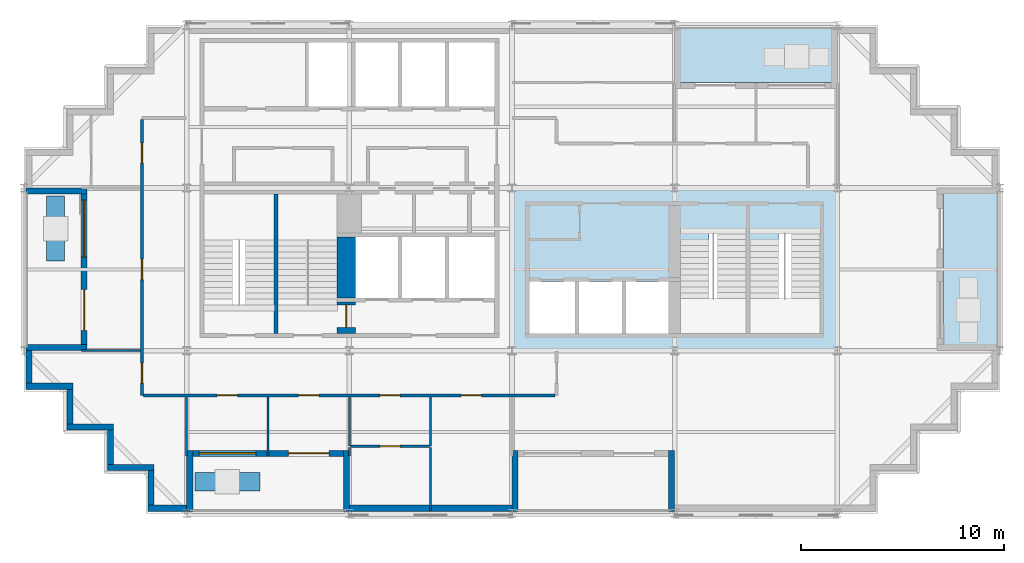
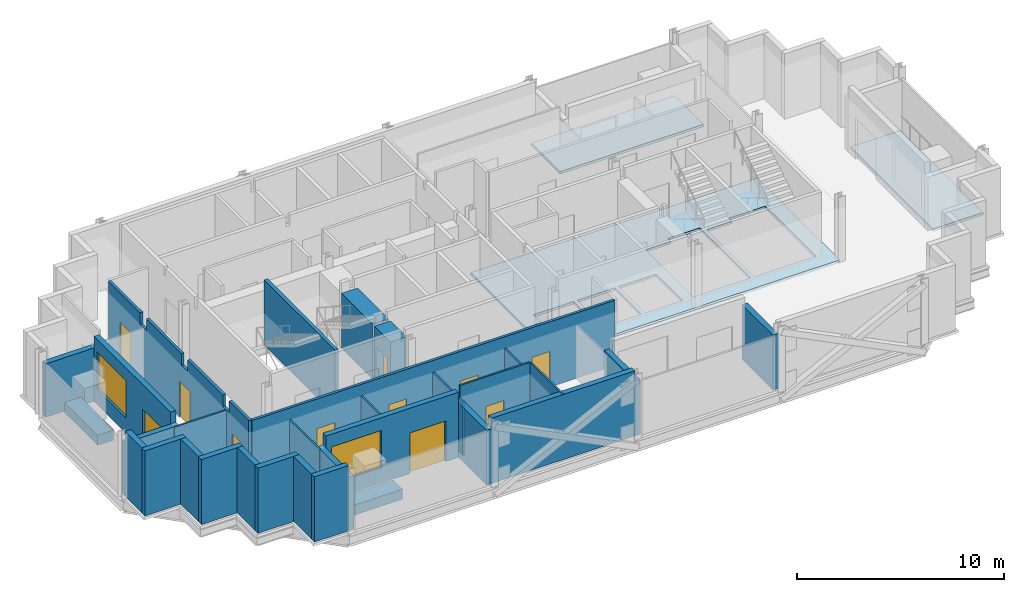
# One storey, part 2 of 8: 32 walls, 11 doors, 3 slabs, 2 windows, 13 openings.
"""IFC4 building model written with IfcOpenShell, lengths in metres."""

from ifc_helpers import new_model, si_unit, direction, frame, frame_2d, origin, place, context, subcontext, project, spatial, polyline, rectangle, outline, extrude, material, layer, layer_set, type_object, element, fill, save


model = new_model("IFC4")

# Units and contexts
model_context = context("Model", 3, precision=1e-05, world=origin(), true_north=direction((0.0, 1.0)))
body_context = subcontext(model_context, "Body", "Model", "MODEL_VIEW")
ifc_project = project(units=[si_unit("LENGTHUNIT", "METRE"), si_unit("AREAUNIT", "SQUARE_METRE"), si_unit("VOLUMEUNIT", "CUBIC_METRE"), si_unit("PLANEANGLEUNIT", "RADIAN"), si_unit("MASSUNIT", "GRAM", prefix="KILO")], contexts=[model_context])

# Site, building, storey
site_placement = place(None, origin())
site = spatial("IfcSite", under=ifc_project, at=site_placement, CompositionType="ELEMENT")
building_placement = place(site_placement, origin())
building = spatial("IfcBuilding", under=site, at=building_placement, Name="Immortelle Media Tower", CompositionType="ELEMENT")
storey_placement = place(building_placement, frame((0.0, 0.0, 209.0)))
storey = spatial("IfcBuildingStorey", under=building, at=storey_placement, Name="L44", CompositionType="ELEMENT", Elevation=209.0)

# Slabs
ifc_material_1 = material(Name="Concrete C50/60 composite deck", Category="concrete")
ifc_layer_1 = layer(ifc_material_1, 0.14990234375)
ifc_layer_set_1 = layer_set([ifc_layer_1], Name="Concrete C50/60 composite deck")
slab_type_1 = type_object("IfcSlabType", Name="Balcony slab 150", PredefinedType="FLOOR", material=ifc_layer_set_1)
slab_1_placement = place(storey_placement, frame((0.0, 0.0, -0.14990234375)))
element("IfcSlab", 1, at=slab_1_placement, inside=storey, type_object=slab_type_1, Name="Balcony slab L44 E0", PredefinedType="FLOOR", context=body_context, shape_type="SweptSolid", body=[
    extrude(outline(polyline([(48.0, 8.0), (48.0, 16.0), (45.199951171875, 16.0), (45.199951171875, 8.0), (48.0, 8.0)])), origin(), (0.0, 0.0, 1.0), 0.14990234375),
])
slab_2_placement = place(storey_placement, frame((0.0, 0.0, -0.14990234375)))
element("IfcSlab", 2, at=slab_2_placement, inside=storey, type_object=slab_type_1, Name="Balcony slab L44 N0", PredefinedType="FLOOR", context=body_context, shape_type="SweptSolid", body=[
    extrude(outline(polyline([(40.0, 21.199951171875), (40.0, 24.0), (32.0, 24.0), (32.0, 21.199951171875), (40.0, 21.199951171875)])), origin(), (0.0, 0.0, 1.0), 0.14990234375),
])
ifc_material_2 = material(Name="Concrete C50/60", Category="concrete")
ifc_layer_2 = layer(ifc_material_2, 0.14990234375)
ifc_layer_set_2 = layer_set([ifc_layer_2], Name="Concrete C50/60")
slab_type_2 = type_object("IfcSlabType", Name="Core floor slab 150", PredefinedType="FLOOR", material=ifc_layer_set_2)
slab_3_placement = place(storey_placement, frame((0.0, 0.0, -0.14990234375)))
element("IfcSlab", 3, at=slab_3_placement, inside=storey, type_object=slab_type_2, Name="Core floor SE", PredefinedType="FLOOR", context=body_context, shape_type="SweptSolid", body=[
    extrude(outline(polyline([(24.0, 8.0), (40.0, 8.0), (40.0, 16.0), (24.0, 16.0), (24.0, 8.0)]), holes=[polyline([(24.85009765625, 8.85009765625), (27.10009765625, 8.85009765625), (27.10009765625, 11.39990234375), (24.85009765625, 11.39990234375), (24.85009765625, 8.85009765625)]), polyline([(27.300048828125, 8.85009765625), (29.39990234375, 8.85009765625), (29.39990234375, 11.39990234375), (27.300048828125, 11.39990234375), (27.300048828125, 8.85009765625)]), polyline([(29.60009765625, 8.85009765625), (31.699951171875, 8.85009765625), (31.699951171875, 11.39990234375), (29.60009765625, 11.39990234375), (29.60009765625, 8.85009765625)]), polyline([(35.5, 13.72998046875), (35.5, 8.85009765625), (32.300048828125, 8.85009765625), (32.300048828125, 13.43994140625), (33.699951171875, 13.43994140625), (33.699951171875, 13.72998046875), (35.5, 13.72998046875)]), polyline([(39.14990234375, 13.72998046875), (39.14990234375, 8.85009765625), (35.699951171875, 8.85009765625), (35.699951171875, 13.43994140625), (37.10009765625, 13.43994140625), (37.10009765625, 13.72998046875), (39.14990234375, 13.72998046875)])]), origin(), (0.0, 0.0, 1.0), 0.14990234375),
])

# Wall, openings, doors
ifc_material_3 = material(Name="Fire-rated gypsum board", Category="gypsum")
ifc_layer_3 = layer(ifc_material_3, 0.012451171875)
ifc_material_4 = material(Name="Steel ASTM A653 SS Gr 50 stud frame with mineral wool", Category="steel")
ifc_layer_4 = layer(ifc_material_4, 0.125)
ifc_layer_5 = layer(ifc_material_3, 0.012451171875)
ifc_layer_set_3 = layer_set([ifc_layer_3, ifc_layer_4, ifc_layer_5], Name="Steel ASTM A653 SS Gr 50 stud frame with mineral wool")
wall_type_1 = type_object("IfcWallType", Name="Corridor wall 150", PredefinedType="PARTITIONING", material=ifc_layer_set_3)
wall_1_placement = place(storey_placement, frame((5.875, 5.800048828125, 0.0), z_axis=(0.0, 0.0, 1.0), x_axis=(1.0, 0.0, 0.0)))
wall_1 = element("IfcWall", 4, at=wall_1_placement, inside=storey, type_object=wall_type_1, Name="Partition L44-009", PredefinedType="PARTITIONING", context=body_context, shape_type="SweptSolid", body=[
    extrude(rectangle(XDim=20.25, YDim=0.14990234375, at=frame_2d((10.125, 0.0))), origin(), (0.0, 0.0, 1.0), 3.85009765625),
])
opening_1_placement = place(wall_1_placement, frame((12.625, 0.0, 0.0), z_axis=(0.0, 0.0, 1.0), x_axis=(-1.0, 0.0, 0.0)))
opening_1 = element("IfcOpeningElement", 5, at=opening_1_placement, cuts=wall_1, Name="Opening O3-F001", PredefinedType="OPENING", context=body_context, shape_type="SweptSolid", body=[
    extrude(rectangle(XDim=1.0, YDim=2.10009765625, at=frame_2d((0.5, 1.050048828125))), frame((0.0, 0.0849609375, 0.0), z_axis=(0.0, -1.0, 0.0), x_axis=(1.0, 0.0, 0.0)), (0.0, 0.0, 1.0), 0.169921875),
])
opening_2_placement = place(wall_1_placement, frame((16.625, 0.0, 0.0), z_axis=(0.0, 0.0, 1.0), x_axis=(-1.0, 0.0, 0.0)))
opening_2 = element("IfcOpeningElement", 6, at=opening_2_placement, cuts=wall_1, Name="Opening O3-F003", PredefinedType="OPENING", context=body_context, shape_type="SweptSolid", body=[
    extrude(rectangle(XDim=1.0, YDim=2.10009765625, at=frame_2d((0.5, 1.050048828125))), frame((0.0, 0.0849609375, 0.0), z_axis=(0.0, -1.0, 0.0), x_axis=(1.0, 0.0, 0.0)), (0.0, 0.0, 1.0), 0.169921875),
])
opening_3_placement = place(wall_1_placement, frame((4.625, 0.0, 0.0), z_axis=(0.0, 0.0, 1.0), x_axis=(-1.0, 0.0, 0.0)))
opening_3 = element("IfcOpeningElement", 7, at=opening_3_placement, cuts=wall_1, Name="Opening O3-F004", PredefinedType="OPENING", context=body_context, shape_type="SweptSolid", body=[
    extrude(rectangle(XDim=1.0, YDim=2.10009765625, at=frame_2d((0.5, 1.050048828125))), frame((0.0, 0.0849609375, 0.0), z_axis=(0.0, -1.0, 0.0), x_axis=(1.0, 0.0, 0.0)), (0.0, 0.0, 1.0), 0.169921875),
])
opening_4_placement = place(wall_1_placement, frame((8.625, 0.0, 0.0), z_axis=(0.0, 0.0, 1.0), x_axis=(-1.0, 0.0, 0.0)))
opening_4 = element("IfcOpeningElement", 8, at=opening_4_placement, cuts=wall_1, Name="Opening O3-F005", PredefinedType="OPENING", context=body_context, shape_type="SweptSolid", body=[
    extrude(rectangle(XDim=1.0, YDim=2.10009765625, at=frame_2d((0.5, 1.050048828125))), frame((0.0, 0.0849609375, 0.0), z_axis=(0.0, -1.0, 0.0), x_axis=(1.0, 0.0, 0.0)), (0.0, 0.0, 1.0), 0.169921875),
])
ifc_material_5 = material(Name="Timber veneered door leaf, galvanised steel frame ASTM A653", Category="steel")
door_type_1 = type_object("IfcDoorType", Name="Room door 1000 x 2100", OperationType="NOTDEFINED", PredefinedType="DOOR", material=ifc_material_5)
door_1_placement = place(opening_1_placement, origin())
door_1 = element("IfcDoor", 9, at=door_1_placement, inside=storey, type_object=door_type_1, Name="Door O3-F001", OperationType="SINGLE_SWING_LEFT", OverallHeight=2.10009765625, OverallWidth=1.0, PredefinedType="DOOR", context=body_context, shape_type="SweptSolid", body=[
    extrude(rectangle(XDim=1.0, YDim=2.10009765625, at=frame_2d((0.5, 1.050048828125))), frame((0.0, 0.02490234375, 0.0), z_axis=(0.0, -1.0, 0.0), x_axis=(1.0, 0.0, 0.0)), (0.0, 0.0, 1.0), 0.050048828125),
])
fill(opening_1, door_1)
door_2_placement = place(opening_2_placement, origin())
door_2 = element("IfcDoor", 10, at=door_2_placement, inside=storey, type_object=door_type_1, Name="Door O3-F003", OperationType="SINGLE_SWING_RIGHT", OverallHeight=2.10009765625, OverallWidth=1.0, PredefinedType="DOOR", context=body_context, shape_type="SweptSolid", body=[
    extrude(rectangle(XDim=1.0, YDim=2.10009765625, at=frame_2d((0.5, 1.050048828125))), frame((0.0, 0.02490234375, 0.0), z_axis=(0.0, -1.0, 0.0), x_axis=(1.0, 0.0, 0.0)), (0.0, 0.0, 1.0), 0.050048828125),
])
fill(opening_2, door_2)
door_3_placement = place(opening_3_placement, origin())
door_3 = element("IfcDoor", 11, at=door_3_placement, inside=storey, type_object=door_type_1, Name="Door O3-F004", OperationType="SINGLE_SWING_RIGHT", OverallHeight=2.10009765625, OverallWidth=1.0, PredefinedType="DOOR", context=body_context, shape_type="SweptSolid", body=[
    extrude(rectangle(XDim=1.0, YDim=2.10009765625, at=frame_2d((0.5, 1.050048828125))), frame((0.0, 0.02490234375, 0.0), z_axis=(0.0, -1.0, 0.0), x_axis=(1.0, 0.0, 0.0)), (0.0, 0.0, 1.0), 0.050048828125),
])
fill(opening_3, door_3)
door_4_placement = place(opening_4_placement, origin())
door_4 = element("IfcDoor", 12, at=door_4_placement, inside=storey, type_object=door_type_1, Name="Door O3-F005", OperationType="SINGLE_SWING_LEFT", OverallHeight=2.10009765625, OverallWidth=1.0, PredefinedType="DOOR", context=body_context, shape_type="SweptSolid", body=[
    extrude(rectangle(XDim=1.0, YDim=2.10009765625, at=frame_2d((0.5, 1.050048828125))), frame((0.0, 0.02490234375, 0.0), z_axis=(0.0, -1.0, 0.0), x_axis=(1.0, 0.0, 0.0)), (0.0, 0.0, 1.0), 0.050048828125),
])
fill(opening_4, door_4)

wall_2_placement = place(storey_placement, frame((5.800048828125, 5.800048828125, 0.0), z_axis=(0.0, 0.0, 1.0), x_axis=(0.0, 1.0, 0.0)))
wall_2 = element("IfcWall", 13, at=wall_2_placement, inside=storey, type_object=wall_type_1, Name="Partition L44-010", PredefinedType="PARTITIONING", context=body_context, shape_type="SweptSolid", body=[
    extrude(outline(polyline([(0.0, 0.0), (13.574951171875, 0.0), (13.574951171875, 3.85009765625), (10.5, 3.85009765625), (10.498046875, 3.156982421875), (9.902099609375, 3.156982421875), (9.89990234375, 3.85009765625), (6.5, 3.85009765625), (6.498046875, 3.156982421875), (5.902099609375, 3.156982421875), (5.89990234375, 3.85009765625), (2.5, 3.85009765625), (2.498046875, 3.156982421875), (1.902099609375, 3.156982421875), (1.89990234375, 3.85009765625), (0.0, 3.85009765625), (0.0, 0.0)])), frame((0.0, 0.074951171875, 0.0), z_axis=(0.0, -1.0, 0.0), x_axis=(1.0, 0.0, 0.0)), (0.0, 0.0, 1.0), 0.14990234375),
])
opening_5_placement = place(wall_2_placement, frame((0.60009765625, 0.0, 0.0)))
opening_5 = element("IfcOpeningElement", 14, at=opening_5_placement, cuts=wall_2, Name="Opening O3-F006", PredefinedType="OPENING", context=body_context, shape_type="SweptSolid", body=[
    extrude(rectangle(XDim=1.0, YDim=2.10009765625, at=frame_2d((0.5, 1.050048828125))), frame((0.0, 0.0849609375, 0.0), z_axis=(0.0, -1.0, 0.0), x_axis=(1.0, 0.0, 0.0)), (0.0, 0.0, 1.0), 0.169921875),
])
opening_6_placement = place(wall_2_placement, frame((5.699951171875, 0.0, 0.0)))
opening_6 = element("IfcOpeningElement", 15, at=opening_6_placement, cuts=wall_2, Name="Opening O3-F008", PredefinedType="OPENING", context=body_context, shape_type="SweptSolid", body=[
    extrude(rectangle(XDim=1.0, YDim=2.10009765625, at=frame_2d((0.5, 1.050048828125))), frame((0.0, 0.0849609375, 0.0), z_axis=(0.0, -1.0, 0.0), x_axis=(1.0, 0.0, 0.0)), (0.0, 0.0, 1.0), 0.169921875),
])
opening_7_placement = place(wall_2_placement, frame((11.425048828125, 0.0, 0.0)))
opening_7 = element("IfcOpeningElement", 16, at=opening_7_placement, cuts=wall_2, Name="Opening O3-F009", PredefinedType="OPENING", context=body_context, shape_type="SweptSolid", body=[
    extrude(rectangle(XDim=1.0, YDim=2.10009765625, at=frame_2d((0.5, 1.050048828125))), frame((0.0, 0.0849609375, 0.0), z_axis=(0.0, -1.0, 0.0), x_axis=(1.0, 0.0, 0.0)), (0.0, 0.0, 1.0), 0.169921875),
])
door_5_placement = place(opening_5_placement, origin())
door_5 = element("IfcDoor", 17, at=door_5_placement, inside=storey, type_object=door_type_1, Name="Door O3-F006", OperationType="SINGLE_SWING_RIGHT", OverallHeight=2.10009765625, OverallWidth=1.0, PredefinedType="DOOR", context=body_context, shape_type="SweptSolid", body=[
    extrude(rectangle(XDim=1.0, YDim=2.10009765625, at=frame_2d((0.5, 1.050048828125))), frame((0.0, 0.02490234375, 0.0), z_axis=(0.0, -1.0, 0.0), x_axis=(1.0, 0.0, 0.0)), (0.0, 0.0, 1.0), 0.050048828125),
])
fill(opening_5, door_5)
door_6_placement = place(opening_6_placement, origin())
door_6 = element("IfcDoor", 18, at=door_6_placement, inside=storey, type_object=door_type_1, Name="Door O3-F008", OperationType="SINGLE_SWING_LEFT", OverallHeight=2.10009765625, OverallWidth=1.0, PredefinedType="DOOR", context=body_context, shape_type="SweptSolid", body=[
    extrude(rectangle(XDim=1.0, YDim=2.10009765625, at=frame_2d((0.5, 1.050048828125))), frame((0.0, 0.02490234375, 0.0), z_axis=(0.0, -1.0, 0.0), x_axis=(1.0, 0.0, 0.0)), (0.0, 0.0, 1.0), 0.050048828125),
])
fill(opening_6, door_6)
door_7_placement = place(opening_7_placement, origin())
door_7 = element("IfcDoor", 19, at=door_7_placement, inside=storey, type_object=door_type_1, Name="Door O3-F009", OperationType="SINGLE_SWING_LEFT", OverallHeight=2.10009765625, OverallWidth=1.0, PredefinedType="DOOR", context=body_context, shape_type="SweptSolid", body=[
    extrude(rectangle(XDim=1.0, YDim=2.10009765625, at=frame_2d((0.5, 1.050048828125))), frame((0.0, 0.02490234375, 0.0), z_axis=(0.0, -1.0, 0.0), x_axis=(1.0, 0.0, 0.0)), (0.0, 0.0, 1.0), 0.050048828125),
])
fill(opening_7, door_7)

# Walls
ifc_material_6 = material(Name="Pale aluminium cladding panel", Category="aluminium")
ifc_layer_6 = layer(ifc_material_6, 0.030029296875)
ifc_layer_7 = layer(ifc_material_4, 0.257568359375)
ifc_material_7 = material(Name="Moisture-resistant gypsum board", Category="gypsum")
ifc_layer_8 = layer(ifc_material_7, 0.012451171875)
ifc_layer_set_4 = layer_set([ifc_layer_6, ifc_layer_7, ifc_layer_8], Name="Steel ASTM A653 SS Gr 50 stud frame with mineral wool")
wall_type_2 = type_object("IfcWallType", Name="Facade wall 300", PredefinedType="SOLIDWALL", material=ifc_layer_set_4)
wall_3_placement = place(storey_placement, frame((0.10009765625, 6.25, 0.0), z_axis=(0.0, 0.0, 1.0), x_axis=(1.0, 0.0, 0.0)))
element("IfcWall", 20, at=wall_3_placement, inside=storey, type_object=wall_type_2, Name="Facade wall L44 S0", PredefinedType="SOLIDWALL", context=body_context, shape_type="SweptSolid", body=[
    extrude(rectangle(XDim=2.2998046875, YDim=0.300048828125, at=frame_2d((1.14990234375, 0.0))), origin(), (0.0, 0.0, 1.0), 3.85009765625),
])
wall_4_placement = place(storey_placement, frame((2.25, 6.10009765625, 0.0), z_axis=(0.0, 0.0, 1.0), x_axis=(0.0, -1.0, 0.0)))
element("IfcWall", 21, at=wall_4_placement, inside=storey, type_object=wall_type_2, Name="Facade wall L44 W1", PredefinedType="SOLIDWALL", context=body_context, shape_type="SweptSolid", body=[
    extrude(rectangle(XDim=1.7001953125, YDim=0.300048828125, at=frame_2d((0.85009765625, 0.0))), origin(), (0.0, 0.0, 1.0), 3.85009765625),
])
wall_5_placement = place(storey_placement, frame((2.10009765625, 4.25, 0.0), z_axis=(0.0, 0.0, 1.0), x_axis=(1.0, 0.0, 0.0)))
element("IfcWall", 22, at=wall_5_placement, inside=storey, type_object=wall_type_2, Name="Facade wall L44 S2", PredefinedType="SOLIDWALL", context=body_context, shape_type="SweptSolid", body=[
    extrude(rectangle(XDim=2.2998046875, YDim=0.300048828125, at=frame_2d((1.14990234375, 0.0))), origin(), (0.0, 0.0, 1.0), 3.85009765625),
])
wall_6_placement = place(storey_placement, frame((4.25, 4.10009765625, 0.0), z_axis=(0.0, 0.0, 1.0), x_axis=(0.0, -1.0, 0.0)))
element("IfcWall", 23, at=wall_6_placement, inside=storey, type_object=wall_type_2, Name="Facade wall L44 W3", PredefinedType="SOLIDWALL", context=body_context, shape_type="SweptSolid", body=[
    extrude(rectangle(XDim=1.7001953125, YDim=0.300048828125, at=frame_2d((0.85009765625, 0.0))), origin(), (0.0, 0.0, 1.0), 3.85009765625),
])
wall_7_placement = place(storey_placement, frame((4.10009765625, 2.25, 0.0), z_axis=(0.0, 0.0, 1.0), x_axis=(1.0, 0.0, 0.0)))
element("IfcWall", 24, at=wall_7_placement, inside=storey, type_object=wall_type_2, Name="Facade wall L44 S4", PredefinedType="SOLIDWALL", context=body_context, shape_type="SweptSolid", body=[
    extrude(rectangle(XDim=2.2998046875, YDim=0.300048828125, at=frame_2d((1.14990234375, 0.0))), origin(), (0.0, 0.0, 1.0), 3.85009765625),
])
wall_8_placement = place(storey_placement, frame((6.25, 2.10009765625, 0.0), z_axis=(0.0, 0.0, 1.0), x_axis=(0.0, -1.0, 0.0)))
element("IfcWall", 25, at=wall_8_placement, inside=storey, type_object=wall_type_2, Name="Facade wall L44 W5", PredefinedType="SOLIDWALL", context=body_context, shape_type="SweptSolid", body=[
    extrude(rectangle(XDim=1.7001953125, YDim=0.300048828125, at=frame_2d((0.85009765625, 0.0))), origin(), (0.0, 0.0, 1.0), 3.85009765625),
])
wall_9_placement = place(storey_placement, frame((6.10009765625, 0.25, 0.0), z_axis=(0.0, 0.0, 1.0), x_axis=(1.0, 0.0, 0.0)))
element("IfcWall", 26, at=wall_9_placement, inside=storey, type_object=wall_type_2, Name="Facade wall L44 S6", PredefinedType="SOLIDWALL", context=body_context, shape_type="SweptSolid", body=[
    extrude(rectangle(XDim=1.89990234375, YDim=0.300048828125, at=frame_2d((0.949951171875, 0.0))), origin(), (0.0, 0.0, 1.0), 3.85009765625),
])

# Wall, openings, door, window
wall_10_placement = place(storey_placement, frame((8.300048828125, 2.949951171875, 0.0), z_axis=(0.0, 0.0, 1.0), x_axis=(1.0, 0.0, 0.0)))
wall_10 = element("IfcWall", 27, at=wall_10_placement, inside=storey, type_object=wall_type_2, Name="Loggia wall L44 S6", PredefinedType="SOLIDWALL", context=body_context, shape_type="SweptSolid", body=[
    extrude(rectangle(XDim=7.39990234375, YDim=0.300048828125, at=frame_2d((3.699951171875, 0.0))), origin(), (0.0, 0.0, 1.0), 3.85009765625),
])
opening_8_placement = place(wall_10_placement, frame((0.300048828125, 0.0, 0.89990234375)))
opening_8 = element("IfcOpeningElement", 28, at=opening_8_placement, cuts=wall_10, Name="Opening W1", PredefinedType="OPENING", context=body_context, shape_type="SweptSolid", body=[
    extrude(rectangle(XDim=2.800048828125, YDim=2.199951171875, at=frame_2d((1.39990234375, 1.10009765625))), frame((0.0, 0.159912109375, 0.0), z_axis=(0.0, -1.0, 0.0), x_axis=(1.0, 0.0, 0.0)), (0.0, 0.0, 1.0), 0.320068359375),
])
opening_9_placement = place(wall_10_placement, frame((4.699951171875, 0.0, 0.0)))
opening_9 = element("IfcOpeningElement", 29, at=opening_9_placement, cuts=wall_10, Name="Opening O3-E001", PredefinedType="OPENING", context=body_context, shape_type="SweptSolid", body=[
    extrude(rectangle(XDim=2.0, YDim=2.39990234375, at=frame_2d((1.0, 1.199951171875))), frame((0.0, 0.159912109375, 0.0), z_axis=(0.0, -1.0, 0.0), x_axis=(1.0, 0.0, 0.0)), (0.0, 0.0, 1.0), 0.320068359375),
])
ifc_material_8 = material(Name="Aluminium frame, glazed leaves", Category="aluminium")
door_type_2 = type_object("IfcDoorType", Name="Loggia door 2000 x 2400", OperationType="DOUBLE_DOOR_SINGLE_SWING", PredefinedType="DOOR", material=ifc_material_8)
door_8_placement = place(opening_9_placement, origin())
door_8 = element("IfcDoor", 30, at=door_8_placement, inside=storey, type_object=door_type_2, Name="Door O3-E001", OperationType="DOUBLE_DOOR_SINGLE_SWING", OverallHeight=2.39990234375, OverallWidth=2.0, PredefinedType="DOOR", context=body_context, shape_type="SweptSolid", body=[
    extrude(rectangle(XDim=2.0, YDim=2.39990234375, at=frame_2d((1.0, 1.199951171875))), frame((0.0, 0.02490234375, 0.0), z_axis=(0.0, -1.0, 0.0), x_axis=(1.0, 0.0, 0.0)), (0.0, 0.0, 1.0), 0.050048828125),
])
fill(opening_9, door_8)
ifc_material_9 = material(Name="Aluminium frame", Category="aluminium")
window_type = type_object("IfcWindowType", Name="Window 2800 x 2200", PartitioningType="SINGLE_PANEL", PredefinedType="WINDOW", material=ifc_material_9)
window_1_placement = place(opening_8_placement, origin())
window_1 = element("IfcWindow", 31, at=window_1_placement, inside=storey, type_object=window_type, Name="Window L44 L44-R6-B0", OverallHeight=2.199951171875, OverallWidth=2.800048828125, PartitioningType="SINGLE_PANEL", PredefinedType="WINDOW", context=body_context, shape_type="SweptSolid", body=[
    extrude(rectangle(XDim=2.800048828125, YDim=2.199951171875, at=frame_2d((1.39990234375, 1.10009765625))), frame((0.0, 0.030029296875, 0.0), z_axis=(0.0, -1.0, 0.0), x_axis=(1.0, 0.0, 0.0)), (0.0, 0.0, 1.0), 0.06005859375),
])
fill(opening_8, window_1)

# Walls
wall_11_placement = place(storey_placement, frame((8.14990234375, 0.10009765625, 0.0), z_axis=(0.0, 0.0, 1.0), x_axis=(0.0, 1.0, 0.0)))
element("IfcWall", 32, at=wall_11_placement, inside=storey, type_object=wall_type_2, Name="Loggia cheek wall L44 S", PredefinedType="SOLIDWALL", context=body_context, shape_type="SweptSolid", body=[
    extrude(rectangle(XDim=3.0, YDim=0.300048828125, at=frame_2d((1.5, 0.0))), origin(), (0.0, 0.0, 1.0), 3.156005859375),
])
wall_12_placement = place(storey_placement, frame((15.85009765625, 0.10009765625, 0.0), z_axis=(0.0, 0.0, 1.0), x_axis=(0.0, 1.0, 0.0)))
element("IfcWall", 33, at=wall_12_placement, inside=storey, type_object=wall_type_2, Name="Loggia cheek wall L44 S", PredefinedType="SOLIDWALL", context=body_context, shape_type="SweptSolid", body=[
    extrude(rectangle(XDim=3.0, YDim=0.300048828125, at=frame_2d((1.5, 0.0))), origin(), (0.0, 0.0, 1.0), 3.237060546875),
])
wall_13_placement = place(storey_placement, frame((16.0, 0.25, 0.0), z_axis=(0.0, 0.0, 1.0), x_axis=(1.0, 0.0, 0.0)))
element("IfcWall", 34, at=wall_13_placement, inside=storey, type_object=wall_type_2, Name="Facade wall L44 S6", PredefinedType="SOLIDWALL", context=body_context, shape_type="SweptSolid", body=[
    extrude(rectangle(XDim=8.0, YDim=0.300048828125, at=frame_2d((4.0, 0.0))), origin(), (0.0, 0.0, 1.0), 3.85009765625),
])
for number, where, z_axis, x_axis, name in (
    (35, (24.14990234375, 0.10009765625, 0.0), (0.0, 0.0, 1.0), (0.0, 1.0, 0.0), "Loggia cheek wall L44 S"),
    (36, (31.85009765625, 0.10009765625, 0.0), (0.0, 0.0, 1.0), (0.0, 1.0, 0.0), "Loggia cheek wall L44 S"),
):
    element("IfcWall", number, at=place(storey_placement, frame(where, z_axis=z_axis, x_axis=x_axis)), inside=storey, type_object=wall_type_2, Name=name, PredefinedType="SOLIDWALL", context=body_context, shape_type="SweptSolid", body=[
        extrude(rectangle(XDim=3.0, YDim=0.300048828125, at=frame_2d((1.5, 0.0))), origin(), (0.0, 0.0, 1.0), 3.237060546875),
    ])

# Wall, openings, door, window
wall_14_placement = place(storey_placement, frame((2.949951171875, 15.699951171875, 0.0), z_axis=(0.0, 0.0, 1.0), x_axis=(0.0, -1.0, 0.0)))
wall_14 = element("IfcWall", 37, at=wall_14_placement, inside=storey, type_object=wall_type_2, Name="Loggia wall L44 W27", PredefinedType="SOLIDWALL", context=body_context, shape_type="SweptSolid", body=[
    extrude(rectangle(XDim=7.39990234375, YDim=0.300048828125, at=frame_2d((3.699951171875, 0.0))), origin(), (0.0, 0.0, 1.0), 3.85009765625),
])
opening_10_placement = place(wall_14_placement, frame((0.300048828125, 0.0, 0.89990234375)))
opening_10 = element("IfcOpeningElement", 38, at=opening_10_placement, cuts=wall_14, Name="Opening W1", PredefinedType="OPENING", context=body_context, shape_type="SweptSolid", body=[
    extrude(rectangle(XDim=2.800048828125, YDim=2.199951171875, at=frame_2d((1.39990234375, 1.10009765625))), frame((0.0, 0.159912109375, 0.0), z_axis=(0.0, -1.0, 0.0), x_axis=(1.0, 0.0, 0.0)), (0.0, 0.0, 1.0), 0.320068359375),
])
opening_11_placement = place(wall_14_placement, frame((4.699951171875, 0.0, 0.0)))
opening_11 = element("IfcOpeningElement", 39, at=opening_11_placement, cuts=wall_14, Name="Opening O3-E006", PredefinedType="OPENING", context=body_context, shape_type="SweptSolid", body=[
    extrude(rectangle(XDim=2.0, YDim=2.39990234375, at=frame_2d((1.0, 1.199951171875))), frame((0.0, 0.159912109375, 0.0), z_axis=(0.0, -1.0, 0.0), x_axis=(1.0, 0.0, 0.0)), (0.0, 0.0, 1.0), 0.320068359375),
])
door_9_placement = place(opening_11_placement, origin())
door_9 = element("IfcDoor", 40, at=door_9_placement, inside=storey, type_object=door_type_2, Name="Door O3-E006", OperationType="DOUBLE_DOOR_SINGLE_SWING", OverallHeight=2.39990234375, OverallWidth=2.0, PredefinedType="DOOR", context=body_context, shape_type="SweptSolid", body=[
    extrude(rectangle(XDim=2.0, YDim=2.39990234375, at=frame_2d((1.0, 1.199951171875))), frame((0.0, 0.02490234375, 0.0), z_axis=(0.0, -1.0, 0.0), x_axis=(1.0, 0.0, 0.0)), (0.0, 0.0, 1.0), 0.050048828125),
])
fill(opening_11, door_9)
window_2_placement = place(opening_10_placement, origin())
window_2 = element("IfcWindow", 41, at=window_2_placement, inside=storey, type_object=window_type, Name="Window L44 L44-R27-B0", OverallHeight=2.199951171875, OverallWidth=2.800048828125, PartitioningType="SINGLE_PANEL", PredefinedType="WINDOW", context=body_context, shape_type="SweptSolid", body=[
    extrude(rectangle(XDim=2.800048828125, YDim=2.199951171875, at=frame_2d((1.39990234375, 1.10009765625))), frame((0.0, 0.030029296875, 0.0), z_axis=(0.0, -1.0, 0.0), x_axis=(1.0, 0.0, 0.0)), (0.0, 0.0, 1.0), 0.06005859375),
])
fill(opening_10, window_2)

# Walls
for number, where, z_axis, x_axis, name in (
    (42, (0.10009765625, 15.85009765625, 0.0), (0.0, 0.0, 1.0), (1.0, 0.0, 0.0), "Loggia cheek wall L44 W"),
    (43, (0.10009765625, 8.14990234375, 0.0), (0.0, 0.0, 1.0), (1.0, 0.0, 0.0), "Loggia cheek wall L44 W"),
):
    element("IfcWall", number, at=place(storey_placement, frame(where, z_axis=z_axis, x_axis=x_axis)), inside=storey, type_object=wall_type_2, Name=name, PredefinedType="SOLIDWALL", context=body_context, shape_type="SweptSolid", body=[
        extrude(rectangle(XDim=3.0, YDim=0.300048828125, at=frame_2d((1.5, 0.0))), origin(), (0.0, 0.0, 1.0), 3.156005859375),
    ])
wall_15_placement = place(storey_placement, frame((0.25, 8.0, 0.0), z_axis=(0.0, 0.0, 1.0), x_axis=(0.0, -1.0, 0.0)))
element("IfcWall", 44, at=wall_15_placement, inside=storey, type_object=wall_type_2, Name="Facade wall L44 W27", PredefinedType="SOLIDWALL", context=body_context, shape_type="SweptSolid", body=[
    extrude(rectangle(XDim=1.60009765625, YDim=0.300048828125, at=frame_2d((0.800048828125, 0.0))), origin(), (0.0, 0.0, 1.0), 3.85009765625),
])
ifc_material_10 = material(Name="Gypsum board", Category="gypsum")
ifc_layer_9 = layer(ifc_material_10, 0.012451171875)
ifc_layer_10 = layer(ifc_material_4, 0.074951171875)
ifc_layer_11 = layer(ifc_material_10, 0.012451171875)
ifc_layer_set_5 = layer_set([ifc_layer_9, ifc_layer_10, ifc_layer_11], Name="Steel ASTM A653 SS Gr 50 stud frame with mineral wool")
wall_type_3 = type_object("IfcWallType", Name="Partition 100", PredefinedType="PARTITIONING", material=ifc_layer_set_5)
wall_16_placement = place(storey_placement, frame((20.0, 0.1298828125, 0.0), z_axis=(0.0, 0.0, 1.0), x_axis=(0.0, 1.0, 0.0)))
element("IfcWall", 45, at=wall_16_placement, inside=storey, type_object=wall_type_3, Name="Partition L44-001", PredefinedType="PARTITIONING", context=body_context, shape_type="SweptSolid", body=[
    extrude(rectangle(XDim=3.1201171875, YDim=0.10009765625, at=frame_2d((1.56005859375, 0.0))), origin(), (0.0, 0.0, 1.0), 3.85009765625),
])
for number, where, z_axis, x_axis, name in (
    (46, (8.0, 2.830078125, 0.0), (0.0, 0.0, 1.0), (0.0, 1.0, 0.0), "Partition L44-002"),
    (47, (12.0, 2.830078125, 0.0), (0.0, 0.0, 1.0), (0.0, 1.0, 0.0), "Partition L44-003"),
):
    element("IfcWall", number, at=place(storey_placement, frame(where, z_axis=z_axis, x_axis=x_axis)), inside=storey, type_object=wall_type_3, Name=name, PredefinedType="PARTITIONING", context=body_context, shape_type="SweptSolid", body=[
        extrude(rectangle(XDim=2.89501953125, YDim=0.10009765625, at=frame_2d((1.447509765625, 0.0))), origin(), (0.0, 0.0, 1.0), 3.156982421875),
    ])
wall_17_placement = place(storey_placement, frame((16.0, 2.830078125, 0.0), z_axis=(0.0, 0.0, 1.0), x_axis=(0.0, 1.0, 0.0)))
element("IfcWall", 48, at=wall_17_placement, inside=storey, type_object=wall_type_3, Name="Partition L44-004", PredefinedType="PARTITIONING", context=body_context, shape_type="SweptSolid", body=[
    extrude(rectangle(XDim=0.419921875, YDim=0.10009765625, at=frame_2d((0.2099609375, 0.0))), origin(), (0.0, 0.0, 1.0), 3.156982421875),
])

# Wall, opening, door
wall_18_placement = place(storey_placement, frame((16.050048828125, 3.300048828125, 0.0), z_axis=(0.0, 0.0, 1.0), x_axis=(1.0, 0.0, 0.0)))
wall_18 = element("IfcWall", 49, at=wall_18_placement, inside=storey, type_object=wall_type_3, Name="Partition L44-006", PredefinedType="PARTITIONING", context=body_context, shape_type="SweptSolid", body=[
    extrude(rectangle(XDim=3.89990234375, YDim=0.10009765625, at=frame_2d((1.949951171875, 0.0))), origin(), (0.0, 0.0, 1.0), 3.85009765625),
])
opening_12_placement = place(wall_18_placement, frame((1.449951171875, 0.0, 0.0)))
opening_12 = element("IfcOpeningElement", 50, at=opening_12_placement, cuts=wall_18, Name="Opening O3-F002", PredefinedType="OPENING", context=body_context, shape_type="SweptSolid", body=[
    extrude(rectangle(XDim=1.0, YDim=2.10009765625, at=frame_2d((0.5, 1.050048828125))), frame((0.0, 0.06005859375, 0.0), z_axis=(0.0, -1.0, 0.0), x_axis=(1.0, 0.0, 0.0)), (0.0, 0.0, 1.0), 0.1201171875),
])
door_10_placement = place(opening_12_placement, origin())
door_10 = element("IfcDoor", 51, at=door_10_placement, inside=storey, type_object=door_type_1, Name="Door O3-F002", OperationType="SINGLE_SWING_RIGHT", OverallHeight=2.10009765625, OverallWidth=1.0, PredefinedType="DOOR", context=body_context, shape_type="SweptSolid", body=[
    extrude(rectangle(XDim=1.0, YDim=2.10009765625, at=frame_2d((0.5, 1.050048828125))), frame((0.0, 0.02490234375, 0.0), z_axis=(0.0, -1.0, 0.0), x_axis=(1.0, 0.0, 0.0)), (0.0, 0.0, 1.0), 0.050048828125),
])
fill(opening_12, door_10)

# Walls
for number, where, z_axis, x_axis, name in (
    (52, (16.0, 3.300048828125, 0.0), (0.0, 0.0, 1.0), (0.0, 1.0, 0.0), "Partition L44-007"),
    (53, (20.0, 3.300048828125, 0.0), (0.0, 0.0, 1.0), (0.0, 1.0, 0.0), "Partition L44-008"),
):
    element("IfcWall", number, at=place(storey_placement, frame(where, z_axis=z_axis, x_axis=x_axis)), inside=storey, type_object=wall_type_3, Name=name, PredefinedType="PARTITIONING", context=body_context, shape_type="SweptSolid", body=[
        extrude(rectangle(XDim=2.425048828125, YDim=0.10009765625, at=frame_2d((1.21240234375, 0.0))), origin(), (0.0, 0.0, 1.0), 3.156982421875),
    ])
wall_19_placement = place(storey_placement, frame((2.830078125, 8.0, 0.0), z_axis=(0.0, 0.0, 1.0), x_axis=(1.0, 0.0, 0.0)))
element("IfcWall", 54, at=wall_19_placement, inside=storey, type_object=wall_type_3, Name="Partition L44-012", PredefinedType="PARTITIONING", context=body_context, shape_type="SweptSolid", body=[
    extrude(rectangle(XDim=2.89501953125, YDim=0.10009765625, at=frame_2d((1.447509765625, 0.0))), origin(), (0.0, 0.0, 1.0), 3.156982421875),
])
ifc_layer_12 = layer(ifc_material_6, 0.0029296875)
ifc_material_11 = material(Name="Steel ASTM A572 Gr 50 planter shell", Category="steel")
ifc_layer_13 = layer(ifc_material_11, 0.011962890625)
ifc_material_12 = material(Name="Planting substrate", Category="soil")
ifc_layer_14 = layer(ifc_material_12, 0.873046875)
ifc_layer_15 = layer(ifc_material_11, 0.011962890625)
ifc_layer_set_6 = layer_set([ifc_layer_12, ifc_layer_13, ifc_layer_14, ifc_layer_15], Name="Steel ASTM A572 Gr 50 planter shell")
wall_type_4 = type_object("IfcWallType", Name="Planter wall 900", PredefinedType="SOLIDWALL", material=ifc_layer_set_6)
for number, where, z_axis, x_axis, name in (
    (55, (8.39990234375, 1.550048828125, 0.0), (0.0, 0.0, 1.0), (1.0, 0.0, 0.0), "Planter L44 S0"),
    (56, (1.550048828125, 15.60009765625, 0.0), (0.0, 0.0, 1.0), (0.0, -1.0, 0.0), "Planter L44 W0"),
):
    element("IfcWall", number, at=place(storey_placement, frame(where, z_axis=z_axis, x_axis=x_axis)), inside=storey, type_object=wall_type_4, Name=name, PredefinedType="SOLIDWALL", context=body_context, shape_type="SweptSolid", body=[
        extrude(rectangle(XDim=3.2001953125, YDim=0.89990234375, at=frame_2d((1.60009765625, 0.0))), origin(), (0.0, 0.0, 1.0), 0.60009765625),
    ])
ifc_material_13 = material(Name="Concrete C60", Category="concrete")
ifc_layer_16 = layer(ifc_material_13, 0.199951171875)
ifc_layer_set_7 = layer_set([ifc_layer_16], Name="Concrete C60")
wall_type_5 = type_object("IfcWallType", Name="Stair shaft wall 200", PredefinedType="PARTITIONING", material=ifc_layer_set_7)
wall_20_placement = place(storey_placement, frame((12.39990234375, 8.85009765625, 0.0), z_axis=(0.0, 0.0, 1.0), x_axis=(0.0, 1.0, 0.0)))
element("IfcWall", 57, at=wall_20_placement, inside=storey, type_object=wall_type_5, Name="Stair shaft wall SW", PredefinedType="PARTITIONING", context=body_context, shape_type="SweptSolid", body=[
    extrude(rectangle(XDim=6.849853515625, YDim=0.199951171875, at=frame_2d((3.4248046875, 0.0))), origin(), (0.0, 0.0, 1.0), 3.85009765625),
])

# Wall, opening, door
ifc_layer_17 = layer(ifc_material_13, 0.89990234375)
ifc_layer_set_8 = layer_set([ifc_layer_17], Name="Concrete C60")
wall_type_6 = type_object("IfcWallType", Name="Stair shaft wall 900", PredefinedType="PARTITIONING", material=ifc_layer_set_8)
wall_21_placement = place(storey_placement, frame((15.85009765625, 8.85009765625, 0.0), z_axis=(0.0, 0.0, 1.0), x_axis=(0.0, 1.0, 0.0)))
wall_21 = element("IfcWall", 58, at=wall_21_placement, inside=storey, type_object=wall_type_6, Name="Stair shaft wall SW", PredefinedType="PARTITIONING", context=body_context, shape_type="SweptSolid", body=[
    extrude(rectangle(XDim=1.5498046875, YDim=0.89990234375, at=frame_2d((0.77490234375, 0.0))), origin(), (0.0, 0.0, 1.0), 3.241943359375),
])
opening_13_placement = place(wall_21_placement, frame((0.300048828125, 0.0, 0.0)))
opening_13 = element("IfcOpeningElement", 59, at=opening_13_placement, cuts=wall_21, Name="Opening O3-K007", PredefinedType="OPENING", context=body_context, shape_type="SweptSolid", body=[
    extrude(rectangle(XDim=1.10009765625, YDim=2.10009765625, at=frame_2d((0.550048828125, 1.050048828125))), frame((0.0, 0.4599609375, 0.0), z_axis=(0.0, -1.0, 0.0), x_axis=(1.0, 0.0, 0.0)), (0.0, 0.0, 1.0), 0.919921875),
])
ifc_material_14 = material(Name="Galvanised steel door leaf and frame ASTM A653", Category="steel")
door_type_3 = type_object("IfcDoorType", Name="Stair lobby door 1100 x 2100", OperationType="NOTDEFINED", PredefinedType="NOTDEFINED", material=ifc_material_14)
door_11_placement = place(opening_13_placement, origin())
door_11 = element("IfcDoor", 60, at=door_11_placement, inside=storey, type_object=door_type_3, Name="Stair lobby O3-K007", OperationType="SINGLE_SWING_LEFT", OverallHeight=2.10009765625, OverallWidth=1.10009765625, PredefinedType="NOTDEFINED", context=body_context, shape_type="SweptSolid", body=[
    extrude(rectangle(XDim=1.10009765625, YDim=2.10009765625, at=frame_2d((0.550048828125, 1.050048828125))), frame((0.0, 0.02490234375, 0.0), z_axis=(0.0, -1.0, 0.0), x_axis=(1.0, 0.0, 0.0)), (0.0, 0.0, 1.0), 0.050048828125),
])
fill(opening_13, door_11)

# Wall
wall_22_placement = place(storey_placement, frame((15.85009765625, 10.60009765625, 0.0), z_axis=(0.0, 0.0, 1.0), x_axis=(0.0, 1.0, 0.0)))
element("IfcWall", 61, at=wall_22_placement, inside=storey, type_object=wall_type_6, Name="Stair shaft wall SW", PredefinedType="PARTITIONING", context=body_context, shape_type="SweptSolid", body=[
    extrude(rectangle(XDim=3.0, YDim=0.89990234375, at=frame_2d((1.5, 0.0))), origin(), (0.0, 0.0, 1.0), 3.241943359375),
])

save(model, "model.ifc")
